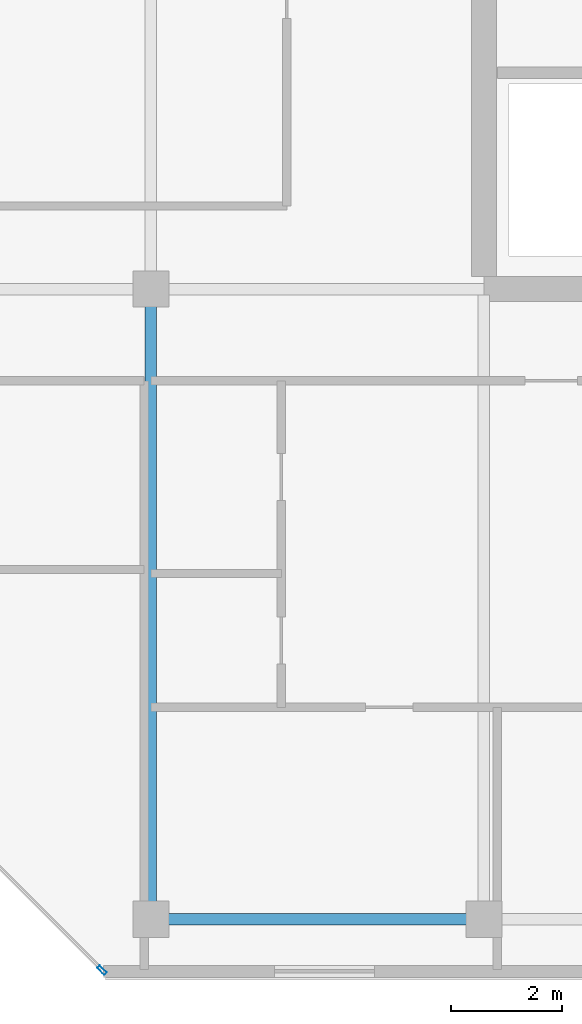
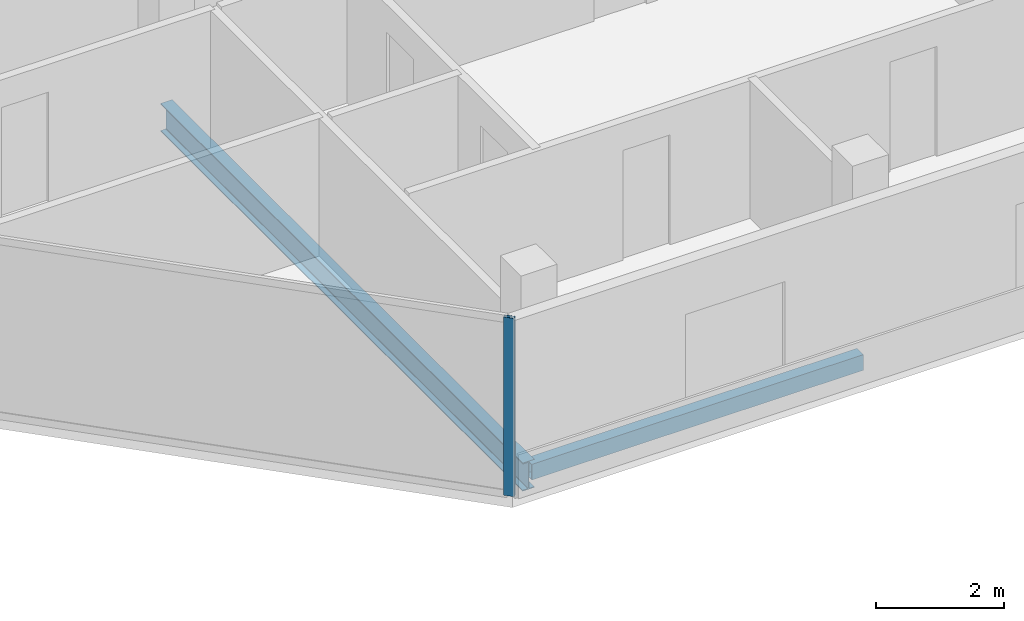
# One storey, part 10 of 28: 2 beams, 1 member, 1 element without a shape of its own.
"""IFC4 building model written with IfcOpenShell, lengths in metres."""

import ifcopenshell
import ifcopenshell.guid

model = None  # the IFC model being written
_history = None  # IfcOwnerHistory: only IFC2X3 demands one
_inside = {}  # id of a spatial element -> (the spatial element, [elements in it])
_under = {}  # id of a project, library or spatial element -> (it, [spatial elements below it])
_declared = {}  # id of a project -> (the project, [libraries it declares])
_typed = {}  # id of a type object -> (the type object, [elements of that type])
_made_of = {}  # id of a material, layer set ... -> (it, [elements and type objects made of it])


def new_model(schema):
    """Start an empty IFC model of exactly this schema.

    Asked for "IFC4X3", IfcOpenShell would pick the latest addendum, in which some entities
    have other attributes; the version numbers below select the first issue.
    IFC2X3 requires an IfcOwnerHistory on every rooted entity: one is made here for all.
    """
    global model, _history
    if schema == "IFC4X3":
        model = ifcopenshell.file(schema_version=(4, 3, 0, 0))
    else:
        model = ifcopenshell.file(schema=schema)
    _inside.clear()
    _under.clear()
    _declared.clear()
    _typed.clear()
    _made_of.clear()
    _history = None
    if model.schema == "IFC2X3":
        org = make("IfcOrganization", Name="unknown")
        user = make(
            "IfcPersonAndOrganization",
            ThePerson=make("IfcPerson", FamilyName="unknown"),
            TheOrganization=org,
        )
        app = make(
            "IfcApplication",
            ApplicationDeveloper=org,
            Version="unknown",
            ApplicationFullName="unknown",
            ApplicationIdentifier="unknown",
        )
        _history = make(
            "IfcOwnerHistory",
            OwningUser=user,
            OwningApplication=app,
            ChangeAction="ADDED",
            CreationDate=0,
        )
    return model


def make(cls, **values):
    """One entity of the class cls with the attributes given. An attribute that is None is left unset."""
    return model.create_entity(
        cls, **{name: value for name, value in values.items() if value is not None}
    )


def rooted(cls, **values):
    """An entity with a GlobalId (a new one), such as an element, a storey or a relation."""
    return make(cls, GlobalId=ifcopenshell.guid.new(), OwnerHistory=_history, **values)


def si_unit(unit_type, name, prefix=None):
    """IfcSIUnit, for example si_unit("LENGTHUNIT", "METRE", prefix="MILLI")."""
    return make("IfcSIUnit", UnitType=unit_type, Prefix=prefix, Name=name)


def assignment(units):
    """IfcUnitAssignment: the units of a project."""
    return None if units is None else make("IfcUnitAssignment", Units=units)


def point(xyz):
    """IfcCartesianPoint."""
    return None if xyz is None else make("IfcCartesianPoint", Coordinates=xyz)


def direction(xyz):
    """IfcDirection."""
    return None if xyz is None else make("IfcDirection", DirectionRatios=xyz)


def frame(location, z_axis=None, x_axis=None):
    """IfcAxis2Placement3D, a coordinate frame: its origin and axes. An axis left out is left unset."""
    return make(
        "IfcAxis2Placement3D",
        Location=point(location),
        Axis=direction(z_axis),
        RefDirection=direction(x_axis),
    )


def frame_2d(location, x_axis=None):
    """IfcAxis2Placement2D, a coordinate frame in the plane: its origin and x axis."""
    return make(
        "IfcAxis2Placement2D", Location=point(location), RefDirection=direction(x_axis)
    )


def origin():
    """The frame at (0, 0, 0) with its axes left unset."""
    return frame((0.0, 0.0, 0.0))


def origin_2d():
    """The frame at (0, 0) in the plane with its x axis left unset."""
    return frame_2d((0.0, 0.0))


def place(relative_to, where):
    """IfcLocalPlacement: puts the frame where relative to a parent placement (None: the world)."""
    return make(
        "IfcLocalPlacement", PlacementRelTo=relative_to, RelativePlacement=where
    )


def context(
    kind, dimensions, precision=None, world=None, true_north=None, identifier=None
):
    """IfcGeometricRepresentationContext, for example the 3D "Model" context."""
    return make(
        "IfcGeometricRepresentationContext",
        ContextIdentifier=identifier,
        ContextType=kind,
        CoordinateSpaceDimension=dimensions,
        Precision=precision,
        WorldCoordinateSystem=world,
        TrueNorth=true_north,
    )


def subcontext(parent, identifier, kind, view, scale=None):
    """IfcGeometricRepresentationSubContext, for example "Body" below "Model"."""
    return make(
        "IfcGeometricRepresentationSubContext",
        ContextIdentifier=identifier,
        ContextType=kind,
        ParentContext=parent,
        TargetScale=scale,
        TargetView=view,
    )


def project(units=None, contexts=None):
    """IfcProject with its units and contexts."""
    return rooted(
        "IfcProject",
        Name="project",
        RepresentationContexts=contexts,
        UnitsInContext=assignment(units),
    )


def spatial(cls, under=None, at=None, **own):
    """A site, building, storey or space (cls), placed at a placement, below another one or the project."""
    s = rooted(cls, ObjectPlacement=at, **own)
    if under is not None:
        _under.setdefault(under.id(), (under, []))[1].append(s)
    return s


def profile(cls, at=None, kind="AREA", **sizes):
    """A parametric profile (cls). Its sizes go by their IFC names, for example OverallWidth=200.0."""
    return make(cls, ProfileType=kind, Position=at, **sizes)


def hollow_rectangle(**sizes):
    """IfcRectangleHollowProfileDef."""
    return profile("IfcRectangleHollowProfileDef", **sizes)


def i_section(**sizes):
    """IfcIShapeProfileDef."""
    return profile("IfcIShapeProfileDef", **sizes)


def extrude(swept, where, along, depth):
    """IfcExtrudedAreaSolid: the profile swept, set in the frame where, extruded along a direction by depth."""
    return make(
        "IfcExtrudedAreaSolid",
        SweptArea=swept,
        Position=where,
        ExtrudedDirection=direction(along),
        Depth=depth,
    )


def shape(context_of_items, identifier, shape_type, items):
    """IfcShapeRepresentation: the items that make up one representation, for example the "Body"."""
    return make(
        "IfcShapeRepresentation",
        ContextOfItems=context_of_items,
        RepresentationIdentifier=identifier,
        RepresentationType=shape_type,
        Items=items,
    )


def material(Name=None, Category=None):
    """IfcMaterial."""
    return make("IfcMaterial", Name=Name, Category=Category)


def layer(
    of_material, thickness, ventilated=None, Name=None, Category=None, Priority=None
):
    """IfcMaterialLayer: one layer of a wall or slab, of a material (None: an air gap)."""
    return make(
        "IfcMaterialLayer",
        Material=of_material,
        LayerThickness=thickness,
        IsVentilated=ventilated,
        Name=Name,
        Category=Category,
        Priority=Priority,
    )


def layer_set(layers, Name=None):
    """IfcMaterialLayerSet."""
    return make("IfcMaterialLayerSet", MaterialLayers=layers, LayerSetName=Name)


def material_profile(
    of_material, cross_section, Name=None, Category=None, Priority=None
):
    """IfcMaterialProfile: a cross section and its material."""
    return make(
        "IfcMaterialProfile",
        Name=Name,
        Material=of_material,
        Profile=cross_section,
        Priority=Priority,
        Category=Category,
    )


def profile_set(profiles, Name=None, composite=None):
    """IfcMaterialProfileSet."""
    return make(
        "IfcMaterialProfileSet",
        Name=Name,
        MaterialProfiles=profiles,
        CompositeProfile=composite,
    )


def made_of(thing, what):
    """Note that an element or type object is made of a material, layer set ...; save() writes the relation."""
    if what is not None:
        _made_of.setdefault(what.id(), (what, []))[1].append(thing)
    return thing


def type_object(cls, material=None, **own):
    """A type object (cls), such as IfcWallType, which elements share."""
    return made_of(rooted(cls, **own), material)


def element(
    cls,
    number,
    at=None,
    inside=None,
    cuts=None,
    type_object=None,
    material=None,
    context=None,
    identifier="Body",
    shape_type=None,
    held_by="IfcProductDefinitionShape",
    body=None,
    shapes=None,
    **own,
):
    """One element of the class cls, such as IfcWall. Its Tag is "e" and its number.

    at: its placement. inside: the storey or other place that contains it. cuts: it is an
    opening in that element (IfcRelVoidsElement). A single representation is given by context,
    identifier, shape_type and body (its items); several are given by shapes. held_by: the class
    of the entity that holds the representations. save() writes the other relations.
    """
    e = rooted(cls, Tag="e%d" % number, ObjectPlacement=at, **own)
    if body is not None:
        shapes = [shape(context, identifier, shape_type, body)]
    if shapes is not None:
        e.Representation = make(held_by, Representations=shapes)
    if inside is not None:
        _inside.setdefault(inside.id(), (inside, []))[1].append(e)
    if cuts is not None:
        rooted(
            "IfcRelVoidsElement", RelatingBuildingElement=cuts, RelatedOpeningElement=e
        )
    if type_object is not None:
        _typed.setdefault(type_object.id(), (type_object, []))[1].append(e)
    return made_of(e, material)


def aggregate(whole, parts):
    """IfcRelAggregates: a whole, such as a stair, and the parts it consists of."""
    return rooted("IfcRelAggregates", RelatingObject=whole, RelatedObjects=parts)


def save(model, path):
    """Write the relations noted so far, then the file.

    IfcRelAggregates (storeys below a building ...), IfcRelContainedInSpatialStructure (elements
    in a storey), IfcRelDefinesByType, IfcRelAssociatesMaterial and IfcRelDeclares: one each for
    every whole, place, type object, material and project.
    """
    for whole, parts in _under.values():
        aggregate(whole, parts)
    for where, things in _inside.values():
        rooted(
            "IfcRelContainedInSpatialStructure",
            RelatedElements=things,
            RelatingStructure=where,
        )
    for kind, things in _typed.values():
        rooted("IfcRelDefinesByType", RelatedObjects=things, RelatingType=kind)
    for what, things in _made_of.values():
        rooted("IfcRelAssociatesMaterial", RelatedObjects=things, RelatingMaterial=what)
    for by, libraries in _declared.values():
        rooted("IfcRelDeclares", RelatingContext=by, RelatedDefinitions=libraries)
    model.write(path)


model = new_model("IFC4")

# Units and contexts
model_context = context("Model", 3, precision=1e-05, world=origin(), true_north=direction((0.0, 1.0)))
body_context = subcontext(model_context, "Body", "Model", "MODEL_VIEW")
ifc_project = project(units=[si_unit("LENGTHUNIT", "METRE"), si_unit("AREAUNIT", "SQUARE_METRE"), si_unit("VOLUMEUNIT", "CUBIC_METRE"), si_unit("PLANEANGLEUNIT", "RADIAN"), si_unit("MASSUNIT", "GRAM", prefix="KILO")], contexts=[model_context])

# Site, building, storey
site_placement = place(None, origin())
site = spatial("IfcSite", under=ifc_project, at=site_placement, CompositionType="ELEMENT")
building_placement = place(site_placement, origin())
building = spatial("IfcBuilding", under=site, at=building_placement, Name="Tanjung Sevakor Pilgrim Tower", CompositionType="ELEMENT")
storey_placement = place(building_placement, frame((0.0, 0.0, 249.81005859375)))
storey = spatial("IfcBuildingStorey", under=building, at=storey_placement, Name="L70", CompositionType="ELEMENT", Elevation=249.81005859375)

# Beams
ifc_material_1 = material(Name="Steel S355J2", Category="steel")
ifc_material_profile_1 = material_profile(ifc_material_1, i_section(OverallWidth=0.210693359375, OverallDepth=0.53955078125, WebThickness=0.01171875, FlangeThickness=0.018798828125, FilletRadius=0.0126953125, at=origin_2d()))
ifc_profile_set_1 = profile_set([ifc_material_profile_1], Name="Steel S355J2")
beam_type_1 = type_object("IfcBeamType", Name="BM-B-G6-UB_533x210x109", PredefinedType="BEAM", material=ifc_profile_set_1)
beam_1_placement = place(storey_placement, frame((72.0, 13.25, -0.48974609375), z_axis=(0.0, 1.0, 0.0), x_axis=(-1.0, 0.0, 0.0)))
element("IfcBeam", 1, at=beam_1_placement, inside=storey, type_object=beam_type_1, Name="L70 EAST Girder 002", PredefinedType="BEAM", context=body_context, shape_type="SweptSolid", body=[
    extrude(i_section(OverallWidth=0.210693359375, OverallDepth=0.53955078125, WebThickness=0.01171875, FlangeThickness=0.018798828125, FilletRadius=0.0126953125, at=origin_2d()), origin(), (0.0, 0.0, 1.0), 11.35009765625),
])
ifc_material_2 = material(Name="Steel S355J2", Category="steel")
ifc_material_profile_2 = material_profile(ifc_material_2, hollow_rectangle(XDim=0.199951171875, YDim=0.300048828125, WallThickness=0.012451171875, at=origin_2d()))
ifc_profile_set_2 = profile_set([ifc_material_profile_2], Name="Steel S355J2")
beam_type_2 = type_object("IfcBeamType", Name="BM-B-SP3-RHS_300x200x12.5", PredefinedType="SPANDREL", material=ifc_profile_set_2)
beam_2_placement = place(storey_placement, frame((72.0, 13.25, -0.3701171875), z_axis=(1.0, 0.0, 0.0), x_axis=(0.0, 1.0, 0.0)))
element("IfcBeam", 2, at=beam_2_placement, inside=storey, type_object=beam_type_2, Name="L70 Spandrel EAST S-01", PredefinedType="SPANDREL", context=body_context, shape_type="SweptSolid", body=[
    extrude(hollow_rectangle(XDim=0.199951171875, YDim=0.300048828125, WallThickness=0.012451171875, at=origin_2d()), origin(), (0.0, 0.0, 1.0), 6.0),
])

# Curtain wall, member
ifc_material_3 = material(Name="Aluminium 6063-T6 and Low-E Glass", Category="aluminium")
ifc_layer = layer(ifc_material_3, 0.179931640625)
ifc_layer_set = layer_set([ifc_layer], Name="CW-SYS-CHAM")
curtain_wall_type = type_object("IfcCurtainWallType", Name="CW-SYS-CHAM", PredefinedType="NOTDEFINED", material=ifc_layer_set)
curtain_wall_placement = place(storey_placement, origin())
curtain_wall = element("IfcCurtainWall", 3, at=curtain_wall_placement, inside=storey, type_object=curtain_wall_type, Name="L70 Curtain Wall CW-CHM-L70-EAST-7", PredefinedType="NOTDEFINED")
ifc_material_4 = material(Name="Aluminium 6063-T6", Category="aluminium")
ifc_material_profile_3 = material_profile(ifc_material_4, hollow_rectangle(XDim=0.06494140625, YDim=0.179931640625, WallThickness=0.00390625, at=origin_2d()))
ifc_profile_set_3 = profile_set([ifc_material_profile_3], Name="Aluminium 6063-T6")
member_type = type_object("IfcMemberType", Name="TYPE-CWM-1", PredefinedType="MULLION", material=ifc_profile_set_3)
member_placement = place(storey_placement, frame((71.12255859375, 12.3330078125, 0.0), z_axis=(0.0, 0.0, 1.0), x_axis=(0.707106781187, 0.707106781187, 0.0)))
member = element("IfcMember", 4, at=member_placement, type_object=member_type, Name="CW-CHM mullion 2", PredefinedType="MULLION", context=body_context, shape_type="SweptSolid", body=[
    extrude(hollow_rectangle(XDim=0.06494140625, YDim=0.179931640625, WallThickness=0.00390625, at=origin_2d()), origin(), (0.0, 0.0, 1.0), 3.409912109375),
])
aggregate(curtain_wall, [member])

save(model, "model.ifc")
